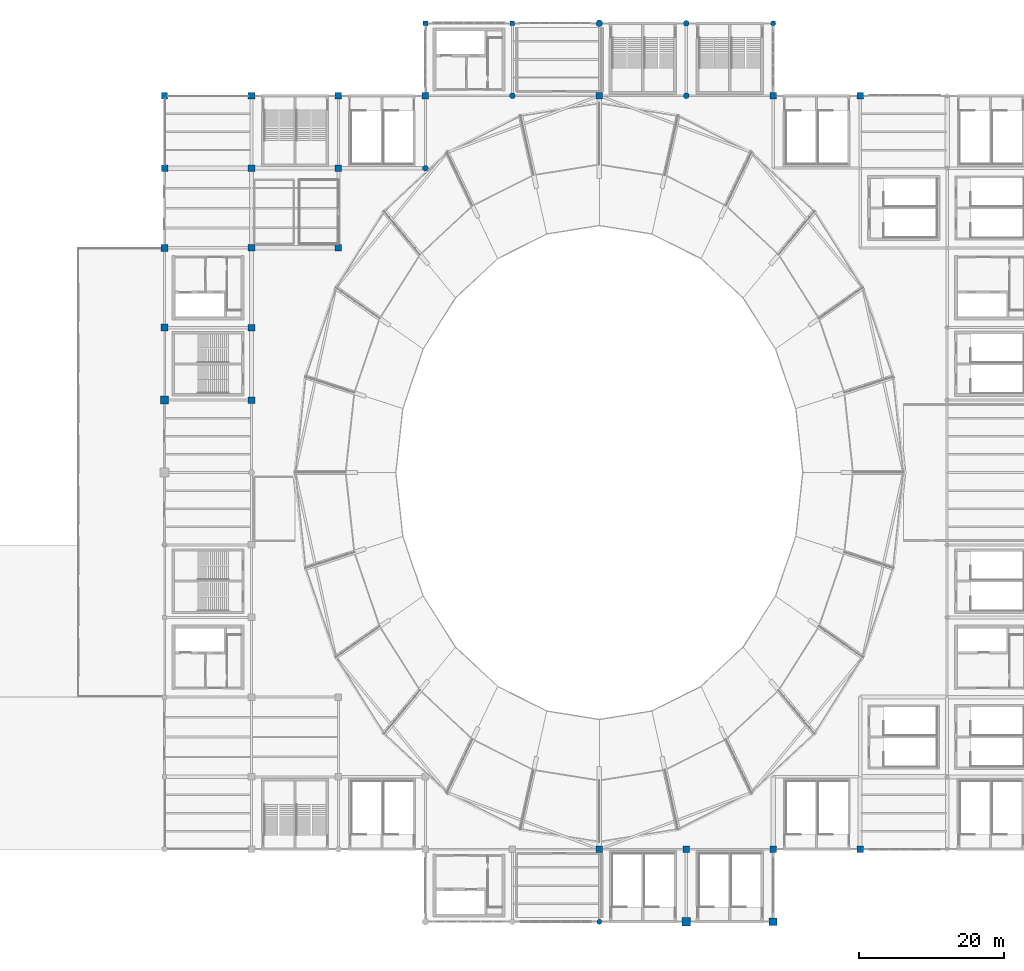
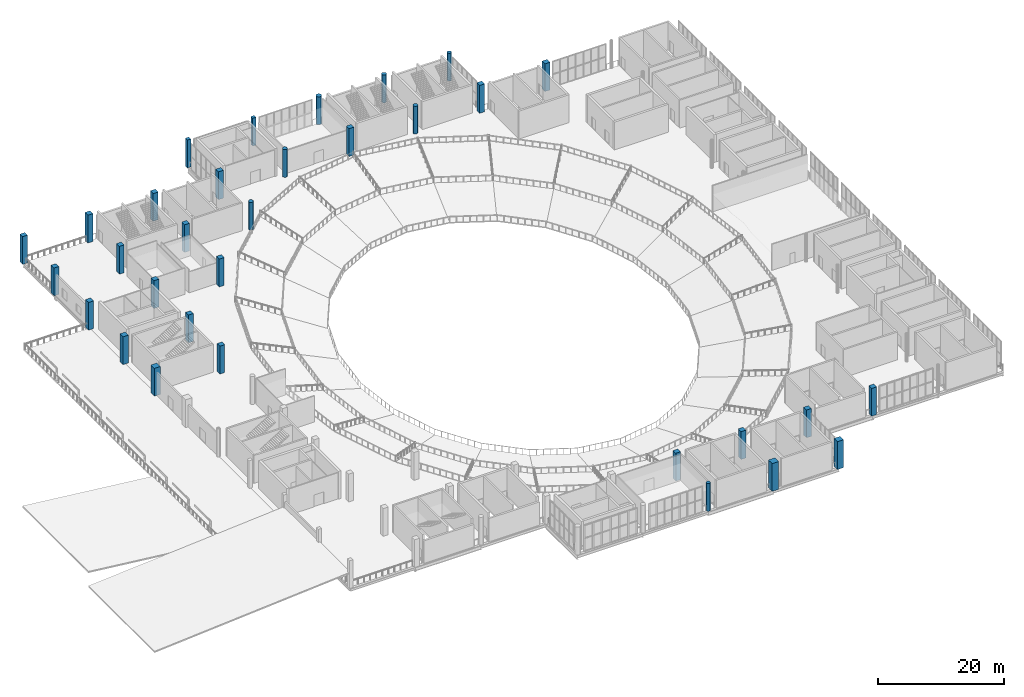
# One storey, part 2 of 74: 32 columns.
"""IFC4 building model written with IfcOpenShell, lengths in metres."""

import ifcopenshell
import ifcopenshell.guid

model = None  # the IFC model being written
_history = None  # IfcOwnerHistory: only IFC2X3 demands one
_inside = {}  # id of a spatial element -> (the spatial element, [elements in it])
_under = {}  # id of a project, library or spatial element -> (it, [spatial elements below it])
_declared = {}  # id of a project -> (the project, [libraries it declares])
_typed = {}  # id of a type object -> (the type object, [elements of that type])
_made_of = {}  # id of a material, layer set ... -> (it, [elements and type objects made of it])


def new_model(schema):
    """Start an empty IFC model of exactly this schema.

    Asked for "IFC4X3", IfcOpenShell would pick the latest addendum, in which some entities
    have other attributes; the version numbers below select the first issue.
    IFC2X3 requires an IfcOwnerHistory on every rooted entity: one is made here for all.
    """
    global model, _history
    if schema == "IFC4X3":
        model = ifcopenshell.file(schema_version=(4, 3, 0, 0))
    else:
        model = ifcopenshell.file(schema=schema)
    _inside.clear()
    _under.clear()
    _declared.clear()
    _typed.clear()
    _made_of.clear()
    _history = None
    if model.schema == "IFC2X3":
        org = make("IfcOrganization", Name="unknown")
        user = make(
            "IfcPersonAndOrganization",
            ThePerson=make("IfcPerson", FamilyName="unknown"),
            TheOrganization=org,
        )
        app = make(
            "IfcApplication",
            ApplicationDeveloper=org,
            Version="unknown",
            ApplicationFullName="unknown",
            ApplicationIdentifier="unknown",
        )
        _history = make(
            "IfcOwnerHistory",
            OwningUser=user,
            OwningApplication=app,
            ChangeAction="ADDED",
            CreationDate=0,
        )
    return model


def make(cls, **values):
    """One entity of the class cls with the attributes given. An attribute that is None is left unset."""
    return model.create_entity(
        cls, **{name: value for name, value in values.items() if value is not None}
    )


def rooted(cls, **values):
    """An entity with a GlobalId (a new one), such as an element, a storey or a relation."""
    return make(cls, GlobalId=ifcopenshell.guid.new(), OwnerHistory=_history, **values)


def si_unit(unit_type, name, prefix=None):
    """IfcSIUnit, for example si_unit("LENGTHUNIT", "METRE", prefix="MILLI")."""
    return make("IfcSIUnit", UnitType=unit_type, Prefix=prefix, Name=name)


def assignment(units):
    """IfcUnitAssignment: the units of a project."""
    return None if units is None else make("IfcUnitAssignment", Units=units)


def point(xyz):
    """IfcCartesianPoint."""
    return None if xyz is None else make("IfcCartesianPoint", Coordinates=xyz)


def direction(xyz):
    """IfcDirection."""
    return None if xyz is None else make("IfcDirection", DirectionRatios=xyz)


def frame(location, z_axis=None, x_axis=None):
    """IfcAxis2Placement3D, a coordinate frame: its origin and axes. An axis left out is left unset."""
    return make(
        "IfcAxis2Placement3D",
        Location=point(location),
        Axis=direction(z_axis),
        RefDirection=direction(x_axis),
    )


def frame_2d(location, x_axis=None):
    """IfcAxis2Placement2D, a coordinate frame in the plane: its origin and x axis."""
    return make(
        "IfcAxis2Placement2D", Location=point(location), RefDirection=direction(x_axis)
    )


def origin():
    """The frame at (0, 0, 0) with its axes left unset."""
    return frame((0.0, 0.0, 0.0))


def origin_2d():
    """The frame at (0, 0) in the plane with its x axis left unset."""
    return frame_2d((0.0, 0.0))


def place(relative_to, where):
    """IfcLocalPlacement: puts the frame where relative to a parent placement (None: the world)."""
    return make(
        "IfcLocalPlacement", PlacementRelTo=relative_to, RelativePlacement=where
    )


def context(
    kind, dimensions, precision=None, world=None, true_north=None, identifier=None
):
    """IfcGeometricRepresentationContext, for example the 3D "Model" context."""
    return make(
        "IfcGeometricRepresentationContext",
        ContextIdentifier=identifier,
        ContextType=kind,
        CoordinateSpaceDimension=dimensions,
        Precision=precision,
        WorldCoordinateSystem=world,
        TrueNorth=true_north,
    )


def subcontext(parent, identifier, kind, view, scale=None):
    """IfcGeometricRepresentationSubContext, for example "Body" below "Model"."""
    return make(
        "IfcGeometricRepresentationSubContext",
        ContextIdentifier=identifier,
        ContextType=kind,
        ParentContext=parent,
        TargetScale=scale,
        TargetView=view,
    )


def project(units=None, contexts=None):
    """IfcProject with its units and contexts."""
    return rooted(
        "IfcProject",
        Name="project",
        RepresentationContexts=contexts,
        UnitsInContext=assignment(units),
    )


def spatial(cls, under=None, at=None, **own):
    """A site, building, storey or space (cls), placed at a placement, below another one or the project."""
    s = rooted(cls, ObjectPlacement=at, **own)
    if under is not None:
        _under.setdefault(under.id(), (under, []))[1].append(s)
    return s


def profile(cls, at=None, kind="AREA", **sizes):
    """A parametric profile (cls). Its sizes go by their IFC names, for example OverallWidth=200.0."""
    return make(cls, ProfileType=kind, Position=at, **sizes)


def rectangle(**sizes):
    """IfcRectangleProfileDef."""
    return profile("IfcRectangleProfileDef", **sizes)


def circle(**sizes):
    """IfcCircleProfileDef."""
    return profile("IfcCircleProfileDef", **sizes)


def extrude(swept, where, along, depth):
    """IfcExtrudedAreaSolid: the profile swept, set in the frame where, extruded along a direction by depth."""
    return make(
        "IfcExtrudedAreaSolid",
        SweptArea=swept,
        Position=where,
        ExtrudedDirection=direction(along),
        Depth=depth,
    )


def shape(context_of_items, identifier, shape_type, items):
    """IfcShapeRepresentation: the items that make up one representation, for example the "Body"."""
    return make(
        "IfcShapeRepresentation",
        ContextOfItems=context_of_items,
        RepresentationIdentifier=identifier,
        RepresentationType=shape_type,
        Items=items,
    )


def material(Name=None, Category=None):
    """IfcMaterial."""
    return make("IfcMaterial", Name=Name, Category=Category)


def material_profile(
    of_material, cross_section, Name=None, Category=None, Priority=None
):
    """IfcMaterialProfile: a cross section and its material."""
    return make(
        "IfcMaterialProfile",
        Name=Name,
        Material=of_material,
        Profile=cross_section,
        Priority=Priority,
        Category=Category,
    )


def profile_set(profiles, Name=None, composite=None):
    """IfcMaterialProfileSet."""
    return make(
        "IfcMaterialProfileSet",
        Name=Name,
        MaterialProfiles=profiles,
        CompositeProfile=composite,
    )


def made_of(thing, what):
    """Note that an element or type object is made of a material, layer set ...; save() writes the relation."""
    if what is not None:
        _made_of.setdefault(what.id(), (what, []))[1].append(thing)
    return thing


def type_object(cls, material=None, **own):
    """A type object (cls), such as IfcWallType, which elements share."""
    return made_of(rooted(cls, **own), material)


def element(
    cls,
    number,
    at=None,
    inside=None,
    cuts=None,
    type_object=None,
    material=None,
    context=None,
    identifier="Body",
    shape_type=None,
    held_by="IfcProductDefinitionShape",
    body=None,
    shapes=None,
    **own,
):
    """One element of the class cls, such as IfcWall. Its Tag is "e" and its number.

    at: its placement. inside: the storey or other place that contains it. cuts: it is an
    opening in that element (IfcRelVoidsElement). A single representation is given by context,
    identifier, shape_type and body (its items); several are given by shapes. held_by: the class
    of the entity that holds the representations. save() writes the other relations.
    """
    e = rooted(cls, Tag="e%d" % number, ObjectPlacement=at, **own)
    if body is not None:
        shapes = [shape(context, identifier, shape_type, body)]
    if shapes is not None:
        e.Representation = make(held_by, Representations=shapes)
    if inside is not None:
        _inside.setdefault(inside.id(), (inside, []))[1].append(e)
    if cuts is not None:
        rooted(
            "IfcRelVoidsElement", RelatingBuildingElement=cuts, RelatedOpeningElement=e
        )
    if type_object is not None:
        _typed.setdefault(type_object.id(), (type_object, []))[1].append(e)
    return made_of(e, material)


def aggregate(whole, parts):
    """IfcRelAggregates: a whole, such as a stair, and the parts it consists of."""
    return rooted("IfcRelAggregates", RelatingObject=whole, RelatedObjects=parts)


def save(model, path):
    """Write the relations noted so far, then the file.

    IfcRelAggregates (storeys below a building ...), IfcRelContainedInSpatialStructure (elements
    in a storey), IfcRelDefinesByType, IfcRelAssociatesMaterial and IfcRelDeclares: one each for
    every whole, place, type object, material and project.
    """
    for whole, parts in _under.values():
        aggregate(whole, parts)
    for where, things in _inside.values():
        rooted(
            "IfcRelContainedInSpatialStructure",
            RelatedElements=things,
            RelatingStructure=where,
        )
    for kind, things in _typed.values():
        rooted("IfcRelDefinesByType", RelatedObjects=things, RelatingType=kind)
    for what, things in _made_of.values():
        rooted("IfcRelAssociatesMaterial", RelatedObjects=things, RelatingMaterial=what)
    for by, libraries in _declared.values():
        rooted("IfcRelDeclares", RelatingContext=by, RelatedDefinitions=libraries)
    model.write(path)


model = new_model("IFC4")

# Units and contexts
model_context = context("Model", 3, precision=1e-05, world=origin(), true_north=direction((0.0, 1.0)))
body_context = subcontext(model_context, "Body", "Model", "MODEL_VIEW")
ifc_project = project(units=[si_unit("LENGTHUNIT", "METRE"), si_unit("AREAUNIT", "SQUARE_METRE"), si_unit("VOLUMEUNIT", "CUBIC_METRE"), si_unit("PLANEANGLEUNIT", "RADIAN"), si_unit("MASSUNIT", "GRAM", prefix="KILO")], contexts=[model_context])

# Site, building, storey
site_placement = place(None, origin())
site = spatial("IfcSite", under=ifc_project, at=site_placement, CompositionType="ELEMENT")
building_placement = place(site_placement, origin())
building = spatial("IfcBuilding", under=site, at=building_placement, Name="Brinegate Civic Arena", CompositionType="ELEMENT")
storey_placement = place(building_placement, frame((0.0, 0.0, 19.199951171875)))
storey = spatial("IfcBuildingStorey", under=building, at=storey_placement, Name="L04", CompositionType="ELEMENT", Elevation=19.199951171875)

# Columns
ifc_material = material(Name="Concrete C50/60", Category="concrete")
ifc_material_profile_1 = material_profile(ifc_material, rectangle(XDim=1.199951171875, YDim=1.199951171875, at=origin_2d()), Name="RC1200X1200")
ifc_profile_set_1 = profile_set([ifc_material_profile_1], Name="Concrete C50/60")
column_type_1 = type_object("IfcColumnType", Name="COL-CC01-1200", PredefinedType="COLUMN", material=ifc_profile_set_1)
column_1_placement = place(storey_placement, frame((120.0, 0.0, 0.0), z_axis=(0.0, 0.0, 1.0), x_axis=(1.0, 0.0, 0.0)))
element("IfcColumn", 1, at=column_1_placement, inside=storey, type_object=column_type_1, Name="Column COL-L04-11-A", PredefinedType="COLUMN", context=body_context, shape_type="SweptSolid", body=[
    extrude(rectangle(XDim=1.199951171875, YDim=1.199951171875, at=origin_2d()), origin(), (0.0, 0.0, 1.0), 5.400146484375),
])
ifc_material_profile_2 = material_profile(ifc_material, rectangle(XDim=1.10009765625, YDim=1.10009765625, at=origin_2d()), Name="RC1100X1100")
ifc_profile_set_2 = profile_set([ifc_material_profile_2], Name="Concrete C50/60")
column_type_2 = type_object("IfcColumnType", Name="COL-CC02-1100", PredefinedType="COLUMN", material=ifc_profile_set_2)
for number, where, z_axis, x_axis, name in (
    (2, (48.0, 72.0, 0.0), (0.0, 0.0, 1.0), (1.0, 0.0, 0.0), "Column COL-L04-5-H"),
    (3, (132.0, 0.0, 0.0), (0.0, 0.0, 1.0), (1.0, 0.0, 0.0), "Column COL-L04-12-A"),
):
    element("IfcColumn", number, at=place(storey_placement, frame(where, z_axis=z_axis, x_axis=x_axis)), inside=storey, type_object=column_type_2, Name=name, PredefinedType="COLUMN", context=body_context, shape_type="SweptSolid", body=[
        extrude(rectangle(XDim=1.10009765625, YDim=1.10009765625, at=origin_2d()), origin(), (0.0, 0.0, 1.0), 5.400146484375),
    ])
ifc_material_profile_3 = material_profile(ifc_material, rectangle(XDim=1.0, YDim=1.0, at=origin_2d()), Name="RC1000X1000")
ifc_profile_set_3 = profile_set([ifc_material_profile_3], Name="Concrete C50/60")
column_type_3 = type_object("IfcColumnType", Name="COL-CC03-1000", PredefinedType="COLUMN", material=ifc_profile_set_3)
column_2_placement = place(storey_placement, frame((48.0, 82.0, 0.0), z_axis=(0.0, 0.0, 1.0), x_axis=(1.0, 0.0, 0.0)))
element("IfcColumn", 4, at=column_2_placement, inside=storey, type_object=column_type_3, Name="Column COL-L04-5-J", PredefinedType="COLUMN", context=body_context, shape_type="SweptSolid", body=[
    extrude(rectangle(XDim=1.0, YDim=1.0, at=origin_2d()), origin(), (0.0, 0.0, 1.0), 5.400146484375),
])
ifc_material_profile_4 = material_profile(ifc_material, rectangle(XDim=0.949951171875, YDim=0.949951171875, at=origin_2d()), Name="RC950X950")
ifc_profile_set_4 = profile_set([ifc_material_profile_4], Name="Concrete C50/60")
column_type_4 = type_object("IfcColumnType", Name="COL-CC04-950", PredefinedType="COLUMN", material=ifc_profile_set_4)
column_3_placement = place(storey_placement, frame((48.0, 93.0, 0.0), z_axis=(0.0, 0.0, 1.0), x_axis=(1.0, 0.0, 0.0)))
element("IfcColumn", 5, at=column_3_placement, inside=storey, type_object=column_type_4, Name="Column COL-L04-5-K", PredefinedType="COLUMN", context=body_context, shape_type="SweptSolid", body=[
    extrude(rectangle(XDim=0.949951171875, YDim=0.949951171875, at=origin_2d()), origin(), (0.0, 0.0, 1.0), 5.400146484375),
])
ifc_material_profile_5 = material_profile(ifc_material, rectangle(XDim=0.89990234375, YDim=0.89990234375, at=origin_2d()), Name="RC900X900")
ifc_profile_set_5 = profile_set([ifc_material_profile_5], Name="Concrete C50/60")
column_type_5 = type_object("IfcColumnType", Name="COL-CC05-900", PredefinedType="COLUMN", material=ifc_profile_set_5)
for number, where, z_axis, x_axis, name in (
    (6, (48.0, 104.0, 0.0), (0.0, 0.0, 1.0), (1.0, 0.0, 0.0), "Column COL-L04-5-L"),
    (7, (60.0, 72.0, 0.0), (0.0, 0.0, 1.0), (1.0, 0.0, 0.0), "Column COL-L04-6-H"),
    (8, (60.0, 82.0, 0.0), (0.0, 0.0, 1.0), (1.0, 0.0, 0.0), "Column COL-L04-6-J"),
    (9, (60.0, 93.0, 0.0), (0.0, 0.0, 1.0), (1.0, 0.0, 0.0), "Column COL-L04-6-K"),
    (10, (60.0, 104.0, 0.0), (0.0, 0.0, 1.0), (1.0, 0.0, 0.0), "Column COL-L04-6-L"),
    (11, (60.0, 114.0, 0.0), (0.0, 0.0, 1.0), (1.0, 0.0, 0.0), "Column COL-L04-6-M"),
    (12, (72.0, 93.0, 0.0), (0.0, 0.0, 1.0), (1.0, 0.0, 0.0), "Column COL-L04-7-K"),
    (13, (72.0, 104.0, 0.0), (0.0, 0.0, 1.0), (1.0, 0.0, 0.0), "Column COL-L04-7-L"),
    (14, (72.0, 114.0, 0.0), (0.0, 0.0, 1.0), (1.0, 0.0, 0.0), "Column COL-L04-7-M"),
    (15, (84.0, 114.0, 0.0), (0.0, 0.0, 1.0), (1.0, 0.0, 0.0), "Column COL-L04-8-M"),
    (16, (108.0, 10.0, 0.0), (0.0, 0.0, 1.0), (1.0, 0.0, 0.0), "Column COL-L04-10-B"),
    (17, (108.0, 114.0, 0.0), (0.0, 0.0, 1.0), (1.0, 0.0, 0.0), "Column COL-L04-10-M"),
    (18, (120.0, 10.0, 0.0), (0.0, 0.0, 1.0), (1.0, 0.0, 0.0), "Column COL-L04-11-B"),
    (19, (132.0, 10.0, 0.0), (0.0, 0.0, 1.0), (1.0, 0.0, 0.0), "Column COL-L04-12-B"),
    (20, (132.0, 114.0, 0.0), (0.0, 0.0, 1.0), (1.0, 0.0, 0.0), "Column COL-L04-12-M"),
    (21, (144.0, 10.0, 0.0), (0.0, 0.0, 1.0), (1.0, 0.0, 0.0), "Column COL-L04-13-B"),
    (22, (144.0, 114.0, 0.0), (0.0, 0.0, 1.0), (1.0, 0.0, 0.0), "Column COL-L04-13-M"),
):
    element("IfcColumn", number, at=place(storey_placement, frame(where, z_axis=z_axis, x_axis=x_axis)), inside=storey, type_object=column_type_5, Name=name, PredefinedType="COLUMN", context=body_context, shape_type="SweptSolid", body=[
        extrude(rectangle(XDim=0.89990234375, YDim=0.89990234375, at=origin_2d()), origin(), (0.0, 0.0, 1.0), 5.400146484375),
    ])
ifc_material_profile_6 = material_profile(ifc_material, rectangle(XDim=0.85009765625, YDim=0.85009765625, at=origin_2d()), Name="RC850X850")
ifc_profile_set_6 = profile_set([ifc_material_profile_6], Name="Concrete C50/60")
column_type_6 = type_object("IfcColumnType", Name="COL-CC06-850", PredefinedType="COLUMN", material=ifc_profile_set_6)
column_4_placement = place(storey_placement, frame((48.0, 114.0, 0.0), z_axis=(0.0, 0.0, 1.0), x_axis=(1.0, 0.0, 0.0)))
element("IfcColumn", 23, at=column_4_placement, inside=storey, type_object=column_type_6, Name="Column COL-L04-5-M", PredefinedType="COLUMN", context=body_context, shape_type="SweptSolid", body=[
    extrude(rectangle(XDim=0.85009765625, YDim=0.85009765625, at=origin_2d()), origin(), (0.0, 0.0, 1.0), 5.400146484375),
])
ifc_material_profile_7 = material_profile(ifc_material, rectangle(XDim=0.64990234375, YDim=0.64990234375, at=origin_2d()), Name="RC650X650")
ifc_profile_set_7 = profile_set([ifc_material_profile_7], Name="Concrete C50/60")
column_type_7 = type_object("IfcColumnType", Name="COL-CC10-650", PredefinedType="COLUMN", material=ifc_profile_set_7)
column_5_placement = place(storey_placement, frame((84.0, 124.0, 0.0), z_axis=(0.0, 0.0, 1.0), x_axis=(1.0, 0.0, 0.0)))
element("IfcColumn", 24, at=column_5_placement, inside=storey, type_object=column_type_7, Name="Column COL-L04-8-N", PredefinedType="COLUMN", context=body_context, shape_type="SweptSolid", body=[
    extrude(rectangle(XDim=0.64990234375, YDim=0.64990234375, at=origin_2d()), origin(), (0.0, 0.0, 1.0), 5.400146484375),
])
ifc_material_profile_8 = material_profile(ifc_material, rectangle(XDim=0.60009765625, YDim=0.60009765625, at=origin_2d()), Name="RC600X600")
ifc_profile_set_8 = profile_set([ifc_material_profile_8], Name="Concrete C50/60")
column_type_8 = type_object("IfcColumnType", Name="COL-CC11-600", PredefinedType="COLUMN", material=ifc_profile_set_8)
column_6_placement = place(storey_placement, frame((96.0, 124.0, 0.0), z_axis=(0.0, 0.0, 1.0), x_axis=(1.0, 0.0, 0.0)))
element("IfcColumn", 25, at=column_6_placement, inside=storey, type_object=column_type_8, Name="Column COL-L04-9-N", PredefinedType="COLUMN", context=body_context, shape_type="SweptSolid", body=[
    extrude(rectangle(XDim=0.60009765625, YDim=0.60009765625, at=origin_2d()), origin(), (0.0, 0.0, 1.0), 5.400146484375),
])
ifc_material_profile_9 = material_profile(ifc_material, circle(Radius=0.449951171875, at=origin_2d()), Name="RCD900")
ifc_profile_set_9 = profile_set([ifc_material_profile_9], Name="Concrete C50/60")
column_type_9 = type_object("IfcColumnType", Name="COL-CC12-D900", PredefinedType="COLUMN", material=ifc_profile_set_9)
column_7_placement = place(storey_placement, frame((108.0, 124.0, 0.0), z_axis=(0.0, 0.0, 1.0), x_axis=(1.0, 0.0, 0.0)))
element("IfcColumn", 26, at=column_7_placement, inside=storey, type_object=column_type_9, Name="Column COL-L04-10-N", PredefinedType="COLUMN", context=body_context, shape_type="SweptSolid", body=[
    extrude(circle(Radius=0.449951171875, at=origin_2d()), origin(), (0.0, 0.0, 1.0), 5.400146484375),
])
ifc_material_profile_10 = material_profile(ifc_material, circle(Radius=0.39990234375, at=origin_2d()), Name="RCD800")
ifc_profile_set_10 = profile_set([ifc_material_profile_10], Name="Concrete C50/60")
column_type_10 = type_object("IfcColumnType", Name="COL-CC13-D800", PredefinedType="COLUMN", material=ifc_profile_set_10)
for number, where, z_axis, x_axis, name in (
    (27, (84.0, 104.0, 0.0), (0.0, 0.0, 1.0), (1.0, 0.0, 0.0), "Column COL-L04-8-L"),
    (28, (96.0, 114.0, 0.0), (0.0, 0.0, 1.0), (1.0, 0.0, 0.0), "Column COL-L04-9-M"),
    (29, (120.0, 114.0, 0.0), (0.0, 0.0, 1.0), (1.0, 0.0, 0.0), "Column COL-L04-11-M"),
    (30, (120.0, 124.0, 0.0), (0.0, 0.0, 1.0), (1.0, 0.0, 0.0), "Column COL-L04-11-N"),
):
    element("IfcColumn", number, at=place(storey_placement, frame(where, z_axis=z_axis, x_axis=x_axis)), inside=storey, type_object=column_type_10, Name=name, PredefinedType="COLUMN", context=body_context, shape_type="SweptSolid", body=[
        extrude(circle(Radius=0.39990234375, at=origin_2d()), origin(), (0.0, 0.0, 1.0), 5.400146484375),
    ])
ifc_material_profile_11 = material_profile(ifc_material, circle(Radius=0.35009765625, at=origin_2d()), Name="RCD700")
ifc_profile_set_11 = profile_set([ifc_material_profile_11], Name="Concrete C50/60")
column_type_11 = type_object("IfcColumnType", Name="COL-CC14-D700", PredefinedType="COLUMN", material=ifc_profile_set_11)
for number, where, z_axis, x_axis, name in (
    (31, (108.0, 0.0, 0.0), (0.0, 0.0, 1.0), (1.0, 0.0, 0.0), "Column COL-L04-10-A"),
    (32, (132.0, 124.0, 0.0), (0.0, 0.0, 1.0), (1.0, 0.0, 0.0), "Column COL-L04-12-N"),
):
    element("IfcColumn", number, at=place(storey_placement, frame(where, z_axis=z_axis, x_axis=x_axis)), inside=storey, type_object=column_type_11, Name=name, PredefinedType="COLUMN", context=body_context, shape_type="SweptSolid", body=[
        extrude(circle(Radius=0.35009765625, at=origin_2d()), origin(), (0.0, 0.0, 1.0), 5.400146484375),
    ])

save(model, "model.ifc")
